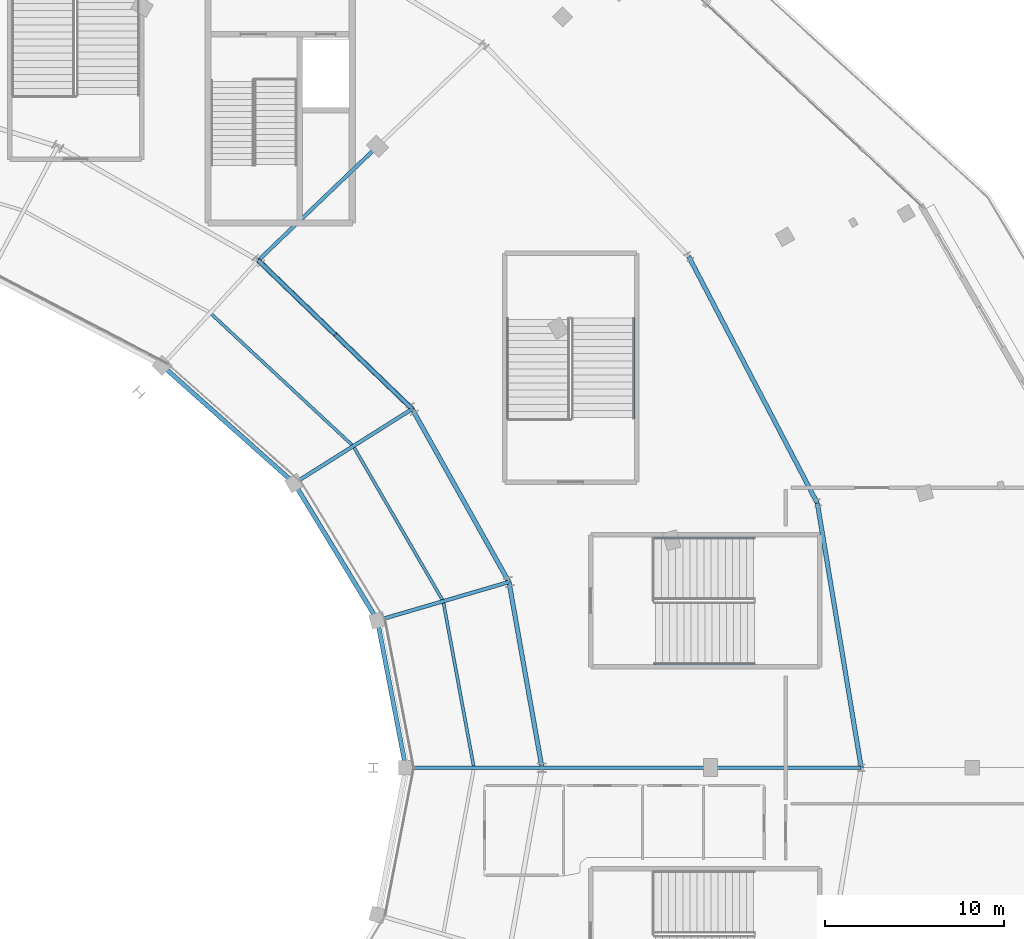
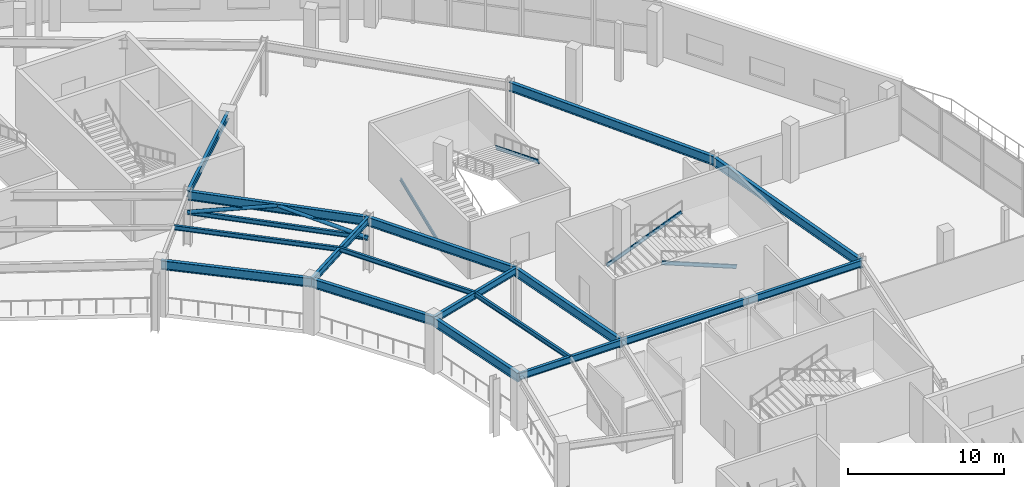
# One storey, part 53 of 107: 18 beams, 6 members.
"""IFC4 building model written with IfcOpenShell, lengths in metres."""

from ifc_helpers import new_model, si_unit, direction, frame, origin, origin_2d, place, context, subcontext, project, spatial, hollow_circle, i_section, extrude, material, material_profile, profile_set, type_object, element, save


model = new_model("IFC4")

# Units and contexts
model_context = context("Model", 3, precision=1e-05, world=origin(), true_north=direction((0.0, 1.0)))
body_context = subcontext(model_context, "Body", "Model", "MODEL_VIEW")
ifc_project = project(units=[si_unit("LENGTHUNIT", "METRE"), si_unit("AREAUNIT", "SQUARE_METRE"), si_unit("VOLUMEUNIT", "CUBIC_METRE"), si_unit("PLANEANGLEUNIT", "RADIAN"), si_unit("MASSUNIT", "GRAM", prefix="KILO")], contexts=[model_context])

# Site, building, storey
site_placement = place(None, origin())
site = spatial("IfcSite", under=ifc_project, at=site_placement, CompositionType="ELEMENT")
building_placement = place(site_placement, origin())
building = spatial("IfcBuilding", under=site, at=building_placement, Name="Kalgoora Escarpment Arena", CompositionType="ELEMENT")
storey_placement = place(building_placement, frame((0.0, 0.0, 5.39990234375)))
storey = spatial("IfcBuildingStorey", under=building, at=storey_placement, Name="L01", CompositionType="ELEMENT", Elevation=5.39990234375)

# Beams
ifc_material_1 = material(Name="Structural steel AS/NZS 3679 (300 MPa)", Category="steel")
ifc_material_profile_1 = material_profile(ifc_material_1, i_section(OverallWidth=0.1708984375, OverallDepth=0.35205078125, WebThickness=0.0068359375, FlangeThickness=0.009765625, at=origin_2d()))
ifc_profile_set_1 = profile_set([ifc_material_profile_1], Name="Structural steel AS/NZS 3679 (300 MPa)")
beam_type_1 = type_object("IfcBeamType", Name="BM-BEAM-360UB44.7", PredefinedType="BEAM", material=ifc_profile_set_1)
beam_1_placement = place(storey_placement, frame((142.60498046875, 64.0, 4.024169921875), z_axis=(-0.181263825147, 0.983434505035, 0.0), x_axis=(-0.983434505035, -0.181263825147, 0.0)))
element("IfcBeam", 1, at=beam_1_placement, inside=storey, type_object=beam_type_1, Name="L01 Concourse secondary ring beam 360UB44.7", PredefinedType="BEAM", context=body_context, shape_type="SweptSolid", body=[
    extrude(i_section(OverallWidth=0.1708984375, OverallDepth=0.35205078125, WebThickness=0.0068359375, FlangeThickness=0.009765625, at=origin_2d()), origin(), (0.0, 0.0, 1.0), 9.4375),
])
beam_2_placement = place(storey_placement, frame((140.894287109375, 73.28125, 4.044189453125), z_axis=(-0.501654133754, 0.865068280593, 0.0), x_axis=(-0.865068280593, -0.501654133754, 0.0)))
element("IfcBeam", 2, at=beam_2_placement, inside=storey, type_object=beam_type_1, Name="L01 Concourse secondary ring beam 360UB44.7", PredefinedType="BEAM", context=body_context, shape_type="SweptSolid", body=[
    extrude(i_section(OverallWidth=0.1708984375, OverallDepth=0.35205078125, WebThickness=0.0068359375, FlangeThickness=0.009765625, at=origin_2d()), origin(), (0.0, 0.0, 1.0), 9.997802734375),
])
beam_3_placement = place(storey_placement, frame((135.87890625, 81.929931640625, 4.044189453125), z_axis=(-0.731952134081, 0.681356054801, 0.0), x_axis=(-0.681356054801, -0.731952134081, 0.0)))
element("IfcBeam", 3, at=beam_3_placement, inside=storey, type_object=beam_type_1, Name="L01 Concourse secondary ring beam 360UB44.7", PredefinedType="BEAM", context=body_context, shape_type="SweptSolid", body=[
    extrude(i_section(OverallWidth=0.1708984375, OverallDepth=0.35205078125, WebThickness=0.0068359375, FlangeThickness=0.009765625, at=origin_2d()), origin(), (0.0, 0.0, 1.0), 10.900390625),
])
beam_4_placement = place(storey_placement, frame((139.165283203125, 84.0, 2.524169921875), z_axis=(-0.719462119733, 0.694531682696, 0.0), x_axis=(-0.694531682696, -0.719462119733, 0.0)))
element("IfcBeam", 4, at=beam_4_placement, inside=storey, type_object=beam_type_1, Name="L01 Portal brace collector beam 360UB44.7", PredefinedType="BEAM", context=body_context, shape_type="SweptSolid", body=[
    extrude(i_section(OverallWidth=0.1708984375, OverallDepth=0.35205078125, WebThickness=0.0068359375, FlangeThickness=0.009765625, at=origin_2d()), origin(), (0.0, 0.0, 1.0), 11.927734375),
])
ifc_material_2 = material(Name="Structural steel AS/NZS 3679 (300 MPa)", Category="steel")
ifc_material_profile_2 = material_profile(ifc_material_2, i_section(OverallWidth=0.208984375, OverallDepth=0.532958984375, WebThickness=0.01025390625, FlangeThickness=0.015625, at=origin_2d()))
ifc_profile_set_2 = profile_set([ifc_material_profile_2], Name="Structural steel AS/NZS 3679 (300 MPa)")
beam_type_2 = type_object("IfcBeamType", Name="BM-GIRDER-530UB92.4", PredefinedType="USERDEFINED", material=ifc_profile_set_2)
beam_5_placement = place(storey_placement, frame((138.81005859375, 64.0, 3.93359375), z_axis=(1.0, 0.0, 0.0), x_axis=(0.0, 1.0, 0.0)))
element("IfcBeam", 5, at=beam_5_placement, inside=storey, type_object=beam_type_2, Name="L01 Radial concourse girder 530UB92.4", ObjectType="GIRDER", PredefinedType="USERDEFINED", context=body_context, shape_type="SweptSolid", body=[
    extrude(i_section(OverallWidth=0.208984375, OverallDepth=0.532958984375, WebThickness=0.01025390625, FlangeThickness=0.015625, at=origin_2d()), origin(), (0.0, 0.0, 1.0), 7.58984375),
])
beam_6_placement = place(storey_placement, frame((146.39990234375, 64.0, 3.93359375), z_axis=(1.0, 0.0, 0.0), x_axis=(0.0, 1.0, 0.0)))
element("IfcBeam", 6, at=beam_6_placement, inside=storey, type_object=beam_type_2, Name="L01 Radial concourse girder 530UB92.4", ObjectType="GIRDER", PredefinedType="USERDEFINED", context=body_context, shape_type="SweptSolid", body=[
    extrude(i_section(OverallWidth=0.208984375, OverallDepth=0.532958984375, WebThickness=0.01025390625, FlangeThickness=0.015625, at=origin_2d()), origin(), (0.0, 0.0, 1.0), 9.400146484375),
])
beam_7_placement = place(storey_placement, frame((155.800048828125, 64.0, 3.93359375), z_axis=(1.0, 0.0, 0.0), x_axis=(0.0, 1.0, 0.0)))
element("IfcBeam", 7, at=beam_7_placement, inside=storey, type_object=beam_type_2, Name="L01 Radial concourse girder 530UB92.4", ObjectType="GIRDER", PredefinedType="USERDEFINED", context=body_context, shape_type="SweptSolid", body=[
    extrude(i_section(OverallWidth=0.208984375, OverallDepth=0.532958984375, WebThickness=0.01025390625, FlangeThickness=0.015625, at=origin_2d()), origin(), (0.0, 0.0, 1.0), 8.39990234375),
])
beam_8_placement = place(storey_placement, frame((137.228515625, 72.209716796875, 3.95361328125), z_axis=(0.959834445675, 0.280566991813, 0.0), x_axis=(-0.280566991813, 0.959834445675, 0.0)))
element("IfcBeam", 8, at=beam_8_placement, inside=storey, type_object=beam_type_2, Name="L01 Radial concourse girder 530UB92.4", ObjectType="GIRDER", PredefinedType="USERDEFINED", context=body_context, shape_type="SweptSolid", body=[
    extrude(i_section(OverallWidth=0.208984375, OverallDepth=0.532958984375, WebThickness=0.01025390625, FlangeThickness=0.015625, at=origin_2d()), origin(), (0.0, 0.0, 1.0), 7.638427734375),
])
beam_9_placement = place(storey_placement, frame((132.59228515625, 79.860107421875, 3.95361328125), z_axis=(0.846155154639, 0.532936632516, 0.0), x_axis=(-0.532936632516, 0.846155154639, 0.0)))
element("IfcBeam", 9, at=beam_9_placement, inside=storey, type_object=beam_type_2, Name="L01 Radial concourse girder 530UB92.4", ObjectType="GIRDER", PredefinedType="USERDEFINED", context=body_context, shape_type="SweptSolid", body=[
    extrude(i_section(OverallWidth=0.208984375, OverallDepth=0.532958984375, WebThickness=0.01025390625, FlangeThickness=0.015625, at=origin_2d()), origin(), (0.0, 0.0, 1.0), 7.76806640625),
])
beam_10_placement = place(storey_placement, frame((130.583740234375, 92.2841796875, 3.95361328125), z_axis=(0.722313931554, 0.691565314546, 0.0), x_axis=(-0.691565314546, 0.722313931554, 0.0)))
element("IfcBeam", 10, at=beam_10_placement, inside=storey, type_object=beam_type_2, Name="L01 Radial concourse girder 530UB92.4", ObjectType="GIRDER", PredefinedType="USERDEFINED", context=body_context, shape_type="SweptSolid", body=[
    extrude(i_section(OverallWidth=0.208984375, OverallDepth=0.532958984375, WebThickness=0.01025390625, FlangeThickness=0.015625, at=origin_2d()), origin(), (0.0, 0.0, 1.0), 9.202392578125),
])
ifc_material_3 = material(Name="Structural steel AS/NZS 3679 (300 MPa)", Category="steel")
ifc_material_profile_3 = material_profile(ifc_material_3, i_section(OverallWidth=0.25, OverallDepth=0.699951171875, WebThickness=0.010009765625, FlangeThickness=0.02001953125, at=origin_2d()))
ifc_profile_set_3 = profile_set([ifc_material_profile_3], Name="Structural steel AS/NZS 3679 (300 MPa)")
beam_type_3 = type_object("IfcBeamType", Name="BM-GIRDER-700WB130", PredefinedType="USERDEFINED", material=ifc_profile_set_3)
beam_11_placement = place(storey_placement, frame((138.81005859375, 64.0, 3.85009765625), z_axis=(-0.189164721843, 0.981945369158, 0.0), x_axis=(-0.981945369158, -0.189164721843, 0.0)))
element("IfcBeam", 11, at=beam_11_placement, inside=storey, type_object=beam_type_3, Name="L01 Circumferential concourse girder RMID 700WB130", ObjectType="GIRDER", PredefinedType="USERDEFINED", context=body_context, shape_type="SweptSolid", body=[
    extrude(i_section(OverallWidth=0.25, OverallDepth=0.699951171875, WebThickness=0.010009765625, FlangeThickness=0.02001953125, at=origin_2d()), origin(), (0.0, 0.0, 1.0), 8.360595703125),
])
beam_12_placement = place(storey_placement, frame((146.39990234375, 64.0, 3.85009765625), z_axis=(-0.174973315738, 0.984573175939, 0.0), x_axis=(-0.984573175939, -0.174973315738, 0.0)))
element("IfcBeam", 12, at=beam_12_placement, inside=storey, type_object=beam_type_3, Name="L01 Circumferential concourse girder RMAIN 700WB130", ObjectType="GIRDER", PredefinedType="USERDEFINED", context=body_context, shape_type="SweptSolid", body=[
    extrude(i_section(OverallWidth=0.25, OverallDepth=0.699951171875, WebThickness=0.010009765625, FlangeThickness=0.02001953125, at=origin_2d()), origin(), (0.0, 0.0, 1.0), 10.514892578125),
])
beam_13_placement = place(storey_placement, frame((137.228515625, 72.209716796875, 3.8701171875), z_axis=(-0.518271472998, 0.855216159972, 0.0), x_axis=(-0.855216159972, -0.518271472998, 0.0)))
element("IfcBeam", 13, at=beam_13_placement, inside=storey, type_object=beam_type_3, Name="L01 Circumferential concourse girder RMID 700WB130", ObjectType="GIRDER", PredefinedType="USERDEFINED", context=body_context, shape_type="SweptSolid", body=[
    extrude(i_section(OverallWidth=0.25, OverallDepth=0.699951171875, WebThickness=0.010009765625, FlangeThickness=0.02001953125, at=origin_2d()), origin(), (0.0, 0.0, 1.0), 8.945556640625),
])
beam_14_placement = place(storey_placement, frame((144.56005859375, 74.352783203125, 3.8701171875), z_axis=(-0.488075296374, 0.872801526734, 0.0), x_axis=(-0.872801526734, -0.488075296374, 0.0)))
element("IfcBeam", 14, at=beam_14_placement, inside=storey, type_object=beam_type_3, Name="L01 Circumferential concourse girder RMAIN 700WB130", ObjectType="GIRDER", PredefinedType="USERDEFINED", context=body_context, shape_type="SweptSolid", body=[
    extrude(i_section(OverallWidth=0.25, OverallDepth=0.699951171875, WebThickness=0.010009765625, FlangeThickness=0.02001953125, at=origin_2d()), origin(), (0.0, 0.0, 1.0), 11.05322265625),
])
beam_15_placement = place(storey_placement, frame((132.59228515625, 79.860107421875, 3.8701171875), z_axis=(-0.746737965203, 0.665118343849, 0.0), x_axis=(-0.665118343849, -0.746737965203, 0.0)))
element("IfcBeam", 15, at=beam_15_placement, inside=storey, type_object=beam_type_3, Name="L01 Circumferential concourse girder RMID 700WB130", ObjectType="GIRDER", PredefinedType="USERDEFINED", context=body_context, shape_type="SweptSolid", body=[
    extrude(i_section(OverallWidth=0.25, OverallDepth=0.699951171875, WebThickness=0.010009765625, FlangeThickness=0.02001953125, at=origin_2d()), origin(), (0.0, 0.0, 1.0), 9.876953125),
])
beam_16_placement = place(storey_placement, frame((139.165283203125, 84.0, 3.8701171875), z_axis=(-0.719462119733, 0.694531682696, 0.0), x_axis=(-0.694531682696, -0.719462119733, 0.0)))
element("IfcBeam", 16, at=beam_16_placement, inside=storey, type_object=beam_type_3, Name="L01 Circumferential concourse girder RMAIN 700WB130", ObjectType="GIRDER", PredefinedType="USERDEFINED", context=body_context, shape_type="SweptSolid", body=[
    extrude(i_section(OverallWidth=0.25, OverallDepth=0.699951171875, WebThickness=0.010009765625, FlangeThickness=0.02001953125, at=origin_2d()), origin(), (0.0, 0.0, 1.0), 11.927734375),
])
ifc_material_4 = material(Name="Structural steel AS/NZS 3679 (300 MPa)", Category="steel")
ifc_material_profile_4 = material_profile(ifc_material_4, i_section(OverallWidth=0.25, OverallDepth=0.699951171875, WebThickness=0.010009765625, FlangeThickness=0.02001953125, at=origin_2d()))
ifc_profile_set_4 = profile_set([ifc_material_profile_4], Name="Structural steel AS/NZS 3679 (300 MPa)")
beam_type_4 = type_object("IfcBeamType", Name="BM-SPANDREL-700WB130", PredefinedType="SPANDREL", material=ifc_profile_set_4)
beam_17_placement = place(storey_placement, frame((164.199951171875, 64.0, 3.85009765625), z_axis=(-0.163602052226, 0.986526415514, 0.0), x_axis=(-0.986526415514, -0.163602052226, 0.0)))
element("IfcBeam", 17, at=beam_17_placement, inside=storey, type_object=beam_type_4, Name="L01 Circumferential concourse girder RCONC2 700WB130", PredefinedType="SPANDREL", context=body_context, shape_type="SweptSolid", body=[
    extrude(i_section(OverallWidth=0.25, OverallDepth=0.699951171875, WebThickness=0.010009765625, FlangeThickness=0.02001953125, at=origin_2d()), origin(), (0.0, 0.0, 1.0), 14.9541015625),
])
beam_18_placement = place(storey_placement, frame((161.75341796875, 78.752685546875, 3.8701171875), z_axis=(-0.462583225327, 0.886575862319, 0.0), x_axis=(-0.886575862319, -0.462583225327, 0.0)))
element("IfcBeam", 18, at=beam_18_placement, inside=storey, type_object=beam_type_4, Name="L01 Circumferential concourse girder RCONC2 700WB130", PredefinedType="SPANDREL", context=body_context, shape_type="SweptSolid", body=[
    extrude(i_section(OverallWidth=0.25, OverallDepth=0.699951171875, WebThickness=0.010009765625, FlangeThickness=0.02001953125, at=origin_2d()), origin(), (0.0, 0.0, 1.0), 15.506103515625),
])

# Members
ifc_material_5 = material(Name="Structural steel C350 (350 MPa)", Category="steel")
ifc_material_profile_5 = material_profile(ifc_material_5, hollow_circle(Radius=0.136474609375, WallThickness=0.00927734375, at=origin_2d()))
ifc_profile_set_5 = profile_set([ifc_material_profile_5], Name="Structural steel C350 (350 MPa)")
member_type_1 = type_object("IfcMemberType", Name="MEM-BRACE-CHS273", PredefinedType="BRACE", material=ifc_profile_set_5)
for number, where, z_axis, x_axis, name in (
    (19, (139.165283203125, 84.0, 2.52001953125), (-0.696893494727, 0.672745094255, 0.248502505346), (-0.694531682696, -0.719462119733, 0.0), "L01 concentric lateral brace R03-1"),
    (20, (130.583740234375, 92.2841796875, 2.52001953125), (0.696893494727, -0.672745094255, 0.248502505346), (0.694531682696, 0.719462119733, 0.0), "L01 concentric lateral brace R03-2"),
):
    element("IfcMember", number, at=place(storey_placement, frame(where, z_axis=z_axis, x_axis=x_axis)), inside=storey, type_object=member_type_1, Name=name, PredefinedType="BRACE", context=body_context, shape_type="SweptSolid", body=[
        extrude(hollow_circle(Radius=0.136474609375, WallThickness=0.00927734375, at=origin_2d()), origin(), (0.0, 0.0, 1.0), 6.156982421875),
    ])
ifc_material_6 = material(Name="Structural steel AS/NZS 3679 (300 MPa)", Category="steel")
ifc_material_profile_6 = material_profile(ifc_material_6, i_section(OverallWidth=0.090087890625, OverallDepth=0.300048828125, WebThickness=0.008056640625, FlangeThickness=0.01611328125, at=origin_2d()))
ifc_profile_set_6 = profile_set([ifc_material_profile_6], Name="Structural steel AS/NZS 3679 (300 MPa)")
member_type_2 = type_object("IfcMemberType", Name="MEM-STRINGER-PFC", PredefinedType="STRINGER", material=ifc_profile_set_6)
for number, where, z_axis, x_axis, name in (
    (21, (152.68994140625, 76.830078125, -0.039794921875), (0.926975796404, 0.0, 0.375121144273), (0.0, 1.0, 0.0), "ST21 L01 steel stair stringer 1"),
    (22, (158.25, 69.77001953125, 2.210205078125), (-0.926975796404, 0.0, 0.375121144273), (0.0, -1.0, 0.0), "ST21 L01 steel stair stringer 2"),
    (23, (144.469970703125, 83.489990234375, -0.039794921875), (0.0, 0.926975796404, 0.375121144273), (-1.0, 0.0, 0.0), "ST23 L01 steel stair stringer 1"),
    (24, (151.530029296875, 89.050048828125, 2.210205078125), (0.0, -0.926975796404, 0.375121144273), (1.0, 0.0, 0.0), "ST23 L01 steel stair stringer 2"),
):
    element("IfcMember", number, at=place(storey_placement, frame(where, z_axis=z_axis, x_axis=x_axis)), inside=storey, type_object=member_type_2, Name=name, PredefinedType="STRINGER", context=body_context, shape_type="SweptSolid", body=[
        extrude(i_section(OverallWidth=0.090087890625, OverallDepth=0.300048828125, WebThickness=0.008056640625, FlangeThickness=0.01611328125, at=origin_2d()), origin(), (0.0, 0.0, 1.0), 5.998046875),
    ])

save(model, "model.ifc")
